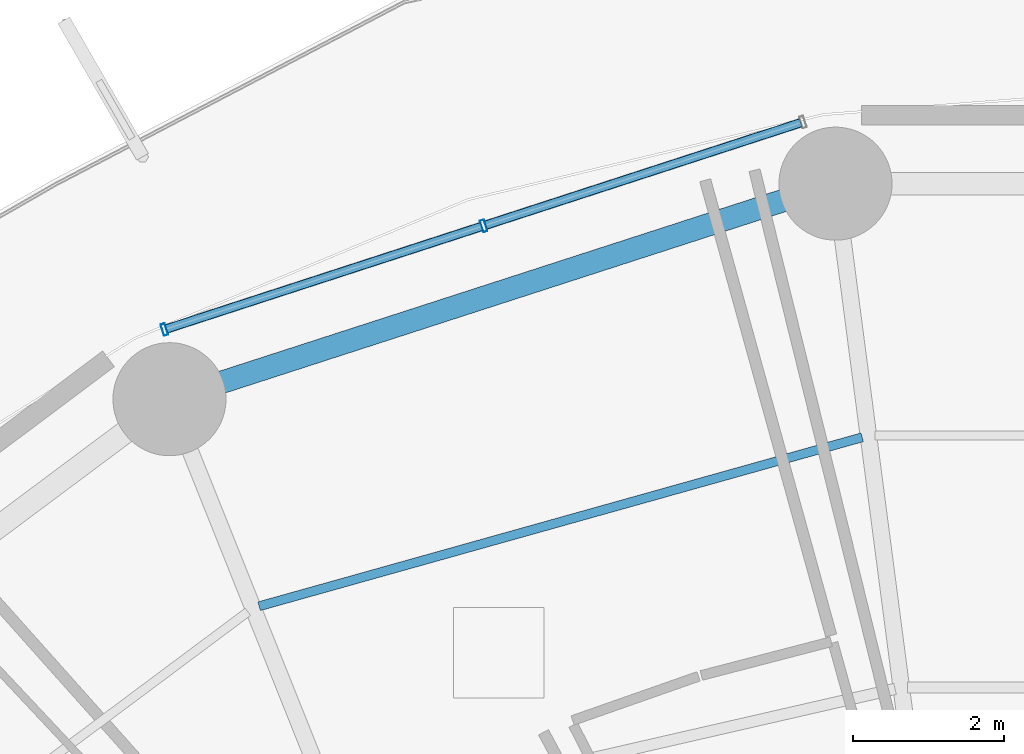
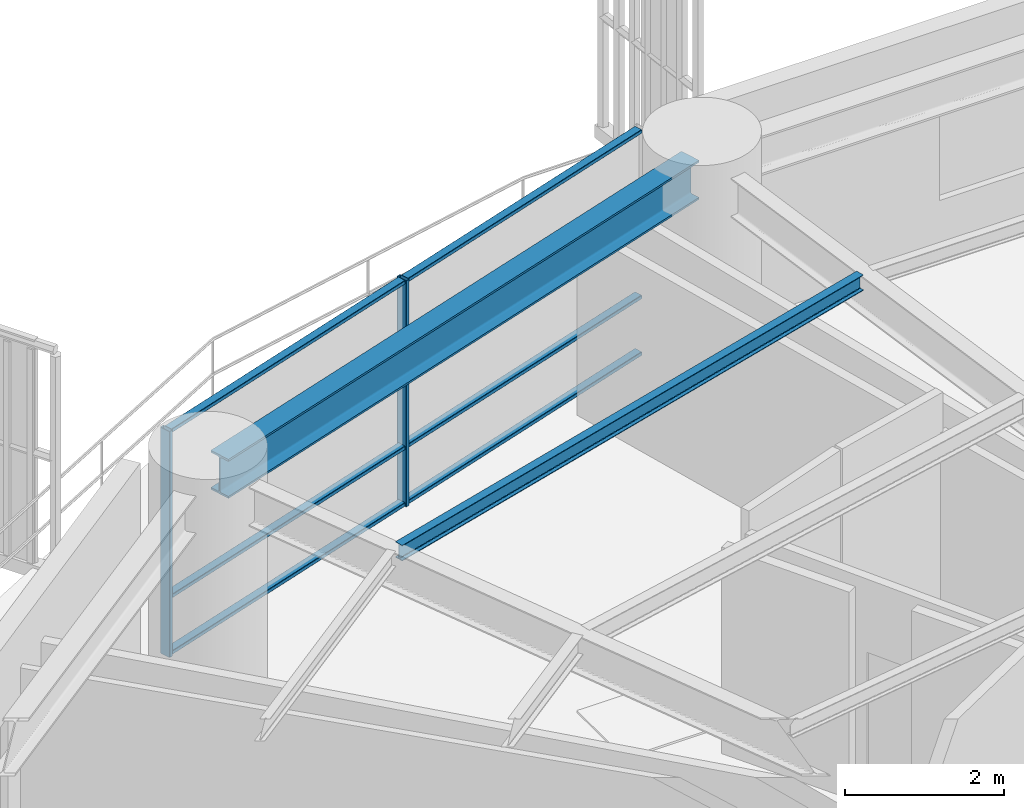
# One storey, part 16 of 35: 8 members, 2 beams, 1 element without a shape of its own.
"""IFC4 building model written with IfcOpenShell, lengths in metres."""

from ifc_helpers import new_model, si_unit, direction, frame, origin, origin_2d, place, context, subcontext, project, spatial, hollow_rectangle, i_section, extrude, material, layer, layer_set, material_profile, profile_set, type_object, element, aggregate, save


model = new_model("IFC4")

# Units and contexts
model_context = context("Model", 3, precision=1e-05, world=origin(), true_north=direction((0.0, 1.0)))
body_context = subcontext(model_context, "Body", "Model", "MODEL_VIEW")
ifc_project = project(units=[si_unit("LENGTHUNIT", "METRE"), si_unit("AREAUNIT", "SQUARE_METRE"), si_unit("VOLUMEUNIT", "CUBIC_METRE"), si_unit("PLANEANGLEUNIT", "RADIAN"), si_unit("MASSUNIT", "GRAM", prefix="KILO")], contexts=[model_context])

# Site, building, storey
site_placement = place(None, origin())
site = spatial("IfcSite", under=ifc_project, at=site_placement, CompositionType="ELEMENT")
building_placement = place(site_placement, origin())
building = spatial("IfcBuilding", under=site, at=building_placement, Name="Kelanora Arch Commons", CompositionType="ELEMENT")
storey_placement = place(building_placement, frame((0.0, 0.0, 22.5)))
storey = spatial("IfcBuildingStorey", under=building, at=storey_placement, Name="L05", CompositionType="ELEMENT", Elevation=22.5)

# Beams
ifc_material_1 = material(Name="Steel S355", Category="steel")
ifc_material_profile_1 = material_profile(ifc_material_1, i_section(OverallWidth=0.1201171875, OverallDepth=0.239990234375, WebThickness=0.006103515625, FlangeThickness=0.009765625, FilletRadius=0.014892578125, at=origin_2d()), Name="IPE240")
ifc_profile_set_1 = profile_set([ifc_material_profile_1], Name="Steel S355")
beam_type_1 = type_object("IfcBeamType", Name="BM-JST-02", PredefinedType="JOIST", material=ifc_profile_set_1)
beam_1_placement = place(storey_placement, frame((69.652099609375, 78.348388671875, 3.3701171875), z_axis=(-0.962914880978, -0.269805359456, 0.0), x_axis=(0.269805359456, -0.962914880978, 0.0)))
element("IfcBeam", 1, at=beam_1_placement, inside=storey, type_object=beam_type_1, Name="Secondary Chord Joist BJC-10 L05", PredefinedType="JOIST", context=body_context, shape_type="SweptSolid", body=[
    extrude(i_section(OverallWidth=0.1201171875, OverallDepth=0.239990234375, WebThickness=0.006103515625, FlangeThickness=0.009765625, FilletRadius=0.014892578125, at=origin_2d()), origin(), (0.0, 0.0, 1.0), 8.310302734375),
])
ifc_material_profile_2 = material_profile(ifc_material_1, i_section(OverallWidth=0.300048828125, OverallDepth=0.60009765625, WebThickness=0.015380859375, FlangeThickness=0.030029296875, FilletRadius=0.027099609375, at=origin_2d()), Name="HEB600")
ifc_profile_set_2 = profile_set([ifc_material_profile_2], Name="Steel S355")
beam_type_2 = type_object("IfcBeamType", Name="BM-SPN-Z1", PredefinedType="SPANDREL", material=ifc_profile_set_2)
beam_2_placement = place(storey_placement, frame((69.08837890625, 81.646484375, 3.18994140625), z_axis=(-0.951411479564, -0.307922387224, 0.0), x_axis=(0.307922387224, -0.951411479564, 0.0)))
element("IfcBeam", 2, at=beam_2_placement, inside=storey, type_object=beam_type_2, Name="Perimeter Spandrel Beam BS-10 L05", PredefinedType="SPANDREL", context=body_context, shape_type="SweptSolid", body=[
    extrude(i_section(OverallWidth=0.300048828125, OverallDepth=0.60009765625, WebThickness=0.015380859375, FlangeThickness=0.030029296875, FilletRadius=0.027099609375, at=origin_2d()), origin(), (0.0, 0.0, 1.0), 8.84912109375),
])

# Curtain wall, members
ifc_material_2 = material(Name="Terracotta ceramic-fritted low-E glass and aluminium", Category="masonry")
ifc_layer = layer(ifc_material_2, 0.159912109375)
ifc_layer_set = layer_set([ifc_layer], Name="Terracotta ceramic-fritted low-E glass and aluminium")
curtain_wall_type = type_object("IfcCurtainWallType", Name="CW-SYS-01", PredefinedType="NOTDEFINED", material=ifc_layer_set)
curtain_wall_placement = place(storey_placement, origin())
curtain_wall = element("IfcCurtainWall", 3, at=curtain_wall_placement, inside=storey, type_object=curtain_wall_type, Name="Unitised Curtain Wall L05-B05", PredefinedType="NOTDEFINED")
ifc_material_3 = material(Name="Powder-coated aluminium terracotta", Category="masonry")
ifc_material_profile_3 = material_profile(ifc_material_3, hollow_rectangle(XDim=0.159912109375, YDim=0.06005859375, WallThickness=0.0048828125, InnerFilletRadius=0.0048828125, OuterFilletRadius=0.010009765625, at=origin_2d()), Name="CWM160x60")
ifc_profile_set_3 = profile_set([ifc_material_profile_3], Name="Powder-coated aluminium terracotta")
member_type_1 = type_object("IfcMemberType", Name="CWM-STD", PredefinedType="MULLION", material=ifc_profile_set_3)
member_1_placement = place(storey_placement, frame((64.62890625, 81.15478515625, 0.0), z_axis=(0.0, 0.0, 1.0), x_axis=(0.30905758454, -0.951043326793, 0.0)))
member_1 = element("IfcMember", 4, at=member_1_placement, type_object=member_type_1, Name="CW-01 mullion 2", PredefinedType="MULLION", context=body_context, shape_type="SweptSolid", body=[
    extrude(hollow_rectangle(XDim=0.159912109375, YDim=0.06005859375, WallThickness=0.0048828125, InnerFilletRadius=0.0048828125, OuterFilletRadius=0.010009765625, at=origin_2d()), origin(), (0.0, 0.0, 1.0), 3.47509765625),
])
member_2_placement = place(storey_placement, frame((60.392333984375, 79.778076171875, 0.0), z_axis=(0.0, 0.0, 1.0), x_axis=(0.30905758454, -0.951043326793, 0.0)))
member_2 = element("IfcMember", 5, at=member_2_placement, type_object=member_type_1, Name="CW-01 mullion 3", PredefinedType="MULLION", context=body_context, shape_type="SweptSolid", body=[
    extrude(hollow_rectangle(XDim=0.159912109375, YDim=0.06005859375, WallThickness=0.0048828125, InnerFilletRadius=0.0048828125, OuterFilletRadius=0.010009765625, at=origin_2d()), origin(), (0.0, 0.0, 1.0), 3.47509765625),
])
ifc_material_profile_4 = material_profile(ifc_material_3, hollow_rectangle(XDim=0.1201171875, YDim=0.06005859375, WallThickness=0.0048828125, InnerFilletRadius=0.0048828125, OuterFilletRadius=0.010009765625, at=origin_2d()), Name="CWT120x60")
ifc_profile_set_4 = profile_set([ifc_material_profile_4], Name="Powder-coated aluminium terracotta")
member_type_2 = type_object("IfcMemberType", Name="CWT-STD", PredefinedType="USERDEFINED", material=ifc_profile_set_4)
member_3_placement = place(storey_placement, frame((68.8369140625, 82.5224609375, 0.030029296875), z_axis=(-0.951028761285, -0.309102402464, 0.0), x_axis=(0.309102402464, -0.951028761285, 0.0)))
member_3 = element("IfcMember", 6, at=member_3_placement, type_object=member_type_2, Name="CW-01 transom 1.1", ObjectType="TRANSOM", PredefinedType="USERDEFINED", context=body_context, shape_type="SweptSolid", body=[
    extrude(hollow_rectangle(XDim=0.1201171875, YDim=0.06005859375, WallThickness=0.0048828125, InnerFilletRadius=0.0048828125, OuterFilletRadius=0.010009765625, at=origin_2d()), origin(), (0.0, 0.0, 1.0), 4.394775390625),
])
member_4_placement = place(storey_placement, frame((68.8369140625, 82.5224609375, 0.89990234375), z_axis=(-0.951028761285, -0.309102402464, 0.0), x_axis=(0.309102402464, -0.951028761285, 0.0)))
member_4 = element("IfcMember", 7, at=member_4_placement, type_object=member_type_2, Name="CW-01 transom 1.2", ObjectType="TRANSOM", PredefinedType="USERDEFINED", context=body_context, shape_type="SweptSolid", body=[
    extrude(hollow_rectangle(XDim=0.1201171875, YDim=0.06005859375, WallThickness=0.0048828125, InnerFilletRadius=0.0048828125, OuterFilletRadius=0.010009765625, at=origin_2d()), origin(), (0.0, 0.0, 1.0), 4.394775390625),
])
member_5_placement = place(storey_placement, frame((68.8369140625, 82.5224609375, 3.445068359375), z_axis=(-0.951028761285, -0.309102402464, 0.0), x_axis=(0.309102402464, -0.951028761285, 0.0)))
member_5 = element("IfcMember", 8, at=member_5_placement, type_object=member_type_2, Name="CW-01 transom 1.3", ObjectType="TRANSOM", PredefinedType="USERDEFINED", context=body_context, shape_type="SweptSolid", body=[
    extrude(hollow_rectangle(XDim=0.1201171875, YDim=0.06005859375, WallThickness=0.0048828125, InnerFilletRadius=0.0048828125, OuterFilletRadius=0.010009765625, at=origin_2d()), origin(), (0.0, 0.0, 1.0), 4.394775390625),
])
member_6_placement = place(storey_placement, frame((64.600341796875, 81.1455078125, 0.030029296875), z_axis=(-0.951045091182, -0.309052155047, 0.0), x_axis=(0.309052155047, -0.951045091182, 0.0)))
member_6 = element("IfcMember", 9, at=member_6_placement, type_object=member_type_2, Name="CW-01 transom 2.1", ObjectType="TRANSOM", PredefinedType="USERDEFINED", context=body_context, shape_type="SweptSolid", body=[
    extrude(hollow_rectangle(XDim=0.1201171875, YDim=0.06005859375, WallThickness=0.0048828125, InnerFilletRadius=0.0048828125, OuterFilletRadius=0.010009765625, at=origin_2d()), origin(), (0.0, 0.0, 1.0), 4.39453125),
])
member_7_placement = place(storey_placement, frame((64.600341796875, 81.1455078125, 0.89990234375), z_axis=(-0.951045091182, -0.309052155047, 0.0), x_axis=(0.309052155047, -0.951045091182, 0.0)))
member_7 = element("IfcMember", 10, at=member_7_placement, type_object=member_type_2, Name="CW-01 transom 2.2", ObjectType="TRANSOM", PredefinedType="USERDEFINED", context=body_context, shape_type="SweptSolid", body=[
    extrude(hollow_rectangle(XDim=0.1201171875, YDim=0.06005859375, WallThickness=0.0048828125, InnerFilletRadius=0.0048828125, OuterFilletRadius=0.010009765625, at=origin_2d()), origin(), (0.0, 0.0, 1.0), 4.39453125),
])
member_8_placement = place(storey_placement, frame((64.600341796875, 81.1455078125, 3.445068359375), z_axis=(-0.951045091182, -0.309052155047, 0.0), x_axis=(0.309052155047, -0.951045091182, 0.0)))
member_8 = element("IfcMember", 11, at=member_8_placement, type_object=member_type_2, Name="CW-01 transom 2.3", ObjectType="TRANSOM", PredefinedType="USERDEFINED", context=body_context, shape_type="SweptSolid", body=[
    extrude(hollow_rectangle(XDim=0.1201171875, YDim=0.06005859375, WallThickness=0.0048828125, InnerFilletRadius=0.0048828125, OuterFilletRadius=0.010009765625, at=origin_2d()), origin(), (0.0, 0.0, 1.0), 4.39453125),
])
aggregate(curtain_wall, [member_1, member_2, member_3, member_4, member_5, member_6, member_7, member_8])

save(model, "model.ifc")
